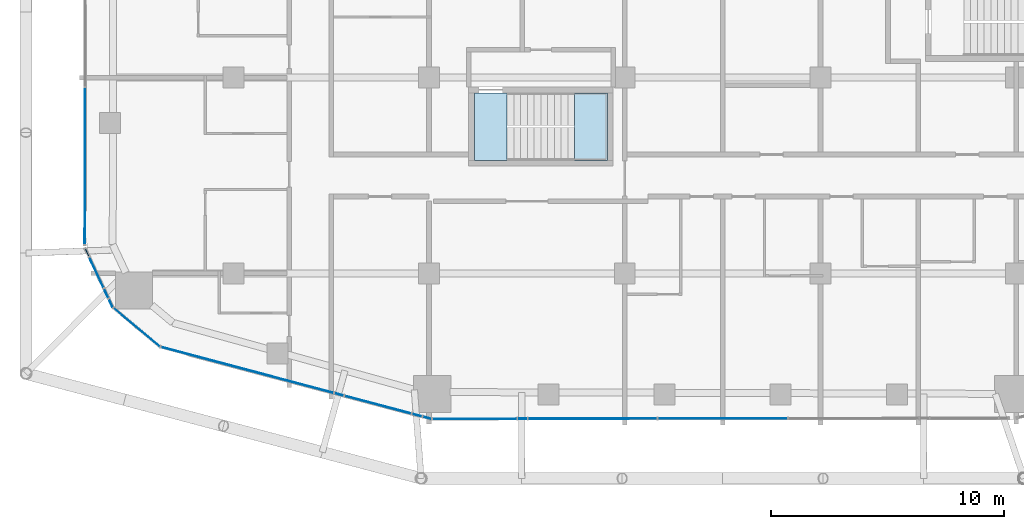
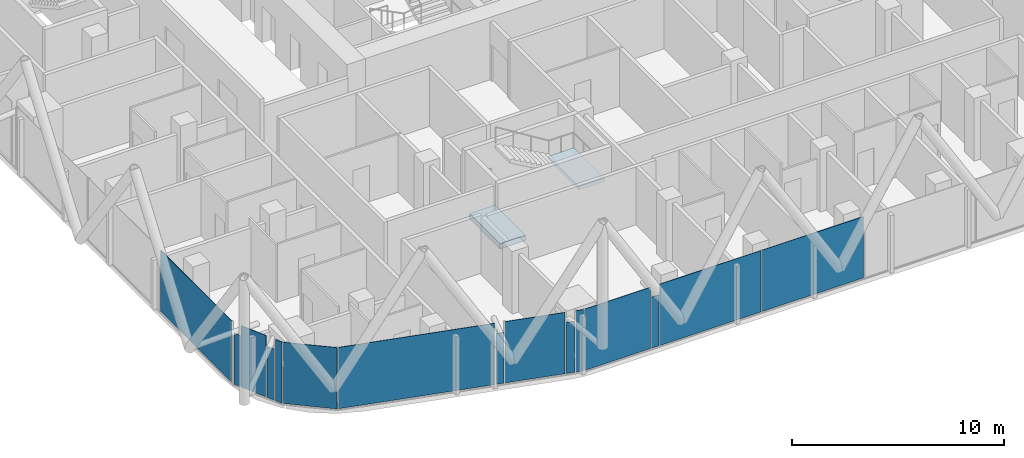
# One storey, part 19 of 36: 15 plates, 2 slabs, 15 elements without a shape of their own.
"""IFC4 building model written with IfcOpenShell, lengths in metres."""

from ifc_helpers import new_model, si_unit, direction, frame, origin, origin_2d, place, context, subcontext, project, spatial, polyline, rectangle, outline, extrude, material, layer, layer_set, type_object, element, aggregate, save


model = new_model("IFC4")

# Units and contexts
model_context = context("Model", 3, precision=1e-05, world=origin(), true_north=direction((0.0, 1.0)))
body_context = subcontext(model_context, "Body", "Model", "MODEL_VIEW")
ifc_project = project(units=[si_unit("LENGTHUNIT", "METRE"), si_unit("AREAUNIT", "SQUARE_METRE"), si_unit("VOLUMEUNIT", "CUBIC_METRE"), si_unit("PLANEANGLEUNIT", "RADIAN"), si_unit("MASSUNIT", "GRAM", prefix="KILO")], contexts=[model_context])

# Site, building, storey
site_placement = place(None, origin())
site = spatial("IfcSite", under=ifc_project, at=site_placement, CompositionType="ELEMENT")
building_placement = place(site_placement, origin())
building = spatial("IfcBuilding", under=site, at=building_placement, Name="Marenta Gate Hotel Tower", CompositionType="ELEMENT")
storey_placement = place(building_placement, frame((0.0, 0.0, 144.5)))
storey = spatial("IfcBuildingStorey", under=building, at=storey_placement, Name="L33", CompositionType="ELEMENT", Elevation=144.5)

# Curtain wall, plate
ifc_material_1 = material(Name="Tinted insulated glass in bronze anodised frame", Category="glass")
ifc_layer_1 = layer(ifc_material_1, 0.1201171875)
ifc_layer_set_1 = layer_set([ifc_layer_1], Name="Tinted insulated glass in bronze anodised frame")
curtain_wall_type = type_object("IfcCurtainWallType", Name="Tower unitised curtain wall CW1", PredefinedType="NOTDEFINED", material=ifc_layer_set_1)
curtain_wall_1_placement = place(storey_placement, origin())
curtain_wall_1 = element("IfcCurtainWall", 1, at=curtain_wall_1_placement, inside=storey, type_object=curtain_wall_type, Name="CW1 run G08", PredefinedType="NOTDEFINED")
ifc_material_2 = material(Name="Tinted insulated glass", Category="glass")
ifc_layer_2 = layer(ifc_material_2, 0.028076171875)
ifc_layer_set_2 = layer_set([ifc_layer_2], Name="Tinted insulated glass")
plate_type = type_object("IfcPlateType", Name="Glass panel CW1 28 mm tinted insulated unit", PredefinedType="CURTAIN_PANEL", material=ifc_layer_set_2)
plate_1_placement = place(storey_placement, frame((-27.367431640625, -12.190185546875, 0.06005859375), z_axis=(0.0, 0.0, 1.0), x_axis=(-0.001564882094, -0.999998775571, 0.0)))
plate_1 = element("IfcPlate", 2, at=plate_1_placement, type_object=plate_type, Name="CW1 panel 3.1", PredefinedType="CURTAIN_PANEL", context=body_context, shape_type="SweptSolid", body=[
    extrude(rectangle(XDim=6.726318359375, YDim=0.028076171875, at=origin_2d()), origin(), (0.0, 0.0, 1.0), 3.5400390625),
])
aggregate(curtain_wall_1, [plate_1])

curtain_wall_2_placement = place(storey_placement, origin())
curtain_wall_2 = element("IfcCurtainWall", 3, at=curtain_wall_2_placement, inside=storey, type_object=curtain_wall_type, Name="CW1 run G09", PredefinedType="NOTDEFINED")
plate_2_placement = place(storey_placement, frame((-27.274658203125, -15.904296875, 0.06005859375), z_axis=(0.0, 0.0, 1.0), x_axis=(0.423345141478, -0.905968482447, 0.0)))
plate_2 = element("IfcPlate", 4, at=plate_2_placement, type_object=plate_type, Name="CW1 panel 1.1", PredefinedType="CURTAIN_PANEL", context=body_context, shape_type="SweptSolid", body=[
    extrude(rectangle(XDim=0.344970703125, YDim=0.028076171875, at=origin_2d()), origin(), (0.0, 0.0, 1.0), 2.9404296875),
])
aggregate(curtain_wall_2, [plate_2])

curtain_wall_3_placement = place(storey_placement, origin())
curtain_wall_3 = element("IfcCurtainWall", 5, at=curtain_wall_3_placement, inside=storey, type_object=curtain_wall_type, Name="CW1 run G10", PredefinedType="NOTDEFINED")
plate_3_placement = place(storey_placement, frame((-26.872802734375, -16.76416015625, 0.06005859375), z_axis=(0.0, 0.0, 1.0), x_axis=(0.423347389488, -0.905967431983, 0.0)))
plate_3 = element("IfcPlate", 6, at=plate_3_placement, type_object=plate_type, Name="CW1 panel 1.1", PredefinedType="CURTAIN_PANEL", context=body_context, shape_type="SweptSolid", body=[
    extrude(rectangle(XDim=1.43310546875, YDim=0.028076171875, at=origin_2d()), origin(), (0.0, 0.0, 1.0), 3.5400390625),
])
aggregate(curtain_wall_3, [plate_3])

curtain_wall_4_placement = place(storey_placement, origin())
curtain_wall_4 = element("IfcCurtainWall", 7, at=curtain_wall_4_placement, inside=storey, type_object=curtain_wall_type, Name="CW1 run G11", PredefinedType="NOTDEFINED")
plate_4_placement = place(storey_placement, frame((-26.45458984375, -17.6591796875, 0.06005859375), z_axis=(0.0, 0.0, 1.0), x_axis=(0.423361641148, -0.905960772222, 0.0)))
plate_4 = element("IfcPlate", 8, at=plate_4_placement, type_object=plate_type, Name="CW1 panel 1.1", PredefinedType="CURTAIN_PANEL", context=body_context, shape_type="SweptSolid", body=[
    extrude(rectangle(XDim=0.4228515625, YDim=0.028076171875, at=origin_2d()), origin(), (0.0, 0.0, 1.0), 2.9404296875),
])
aggregate(curtain_wall_4, [plate_4])

curtain_wall_5_placement = place(storey_placement, origin())
curtain_wall_5 = element("IfcCurtainWall", 9, at=curtain_wall_5_placement, inside=storey, type_object=curtain_wall_type, Name="CW1 run G12", PredefinedType="NOTDEFINED")
plate_5_placement = place(storey_placement, frame((-26.25732421875, -18.081298828125, 0.06005859375), z_axis=(0.0, 0.0, 1.0), x_axis=(0.42327548639, -0.906001027936, 0.0)))
plate_5 = element("IfcPlate", 10, at=plate_5_placement, type_object=plate_type, Name="CW1 panel 1.1", PredefinedType="CURTAIN_PANEL", context=body_context, shape_type="SweptSolid", body=[
    extrude(rectangle(XDim=0.38916015625, YDim=0.028076171875, at=origin_2d()), origin(), (0.0, 0.0, 1.0), 3.5400390625),
])
aggregate(curtain_wall_5, [plate_5])

curtain_wall_6_placement = place(storey_placement, origin())
curtain_wall_6 = element("IfcCurtainWall", 11, at=curtain_wall_6_placement, inside=storey, type_object=curtain_wall_type, Name="CW1 run G13", PredefinedType="NOTDEFINED")
plate_6_placement = place(storey_placement, frame((-25.14111328125, -19.1220703125, 0.06005859375), z_axis=(0.0, 0.0, 1.0), x_axis=(0.767112858807, -0.641512168126, 0.0)))
plate_6 = element("IfcPlate", 12, at=plate_6_placement, type_object=plate_type, Name="CW1 panel 1.1", PredefinedType="CURTAIN_PANEL", context=body_context, shape_type="SweptSolid", body=[
    extrude(rectangle(XDim=2.5751953125, YDim=0.028076171875, at=origin_2d()), origin(), (0.0, 0.0, 1.0), 3.5400390625),
])
aggregate(curtain_wall_6, [plate_6])

curtain_wall_7_placement = place(storey_placement, origin())
curtain_wall_7 = element("IfcCurtainWall", 13, at=curtain_wall_7_placement, inside=storey, type_object=curtain_wall_type, Name="CW1 run G14", PredefinedType="NOTDEFINED")
plate_7_placement = place(storey_placement, frame((-20.40185546875, -20.946533203125, 0.06005859375), z_axis=(0.0, 0.0, 1.0), x_axis=(0.96637246488, -0.257146376841, 0.0)))
plate_7 = element("IfcPlate", 14, at=plate_7_placement, type_object=plate_type, Name="CW1 panel 1.1", PredefinedType="CURTAIN_PANEL", context=body_context, shape_type="SweptSolid", body=[
    extrude(rectangle(XDim=7.644287109375, YDim=0.028076171875, at=origin_2d()), origin(), (0.0, 0.0, 1.0), 3.5400390625),
])
aggregate(curtain_wall_7, [plate_7])

curtain_wall_8_placement = place(storey_placement, origin())
curtain_wall_8 = element("IfcCurtainWall", 15, at=curtain_wall_8_placement, inside=storey, type_object=curtain_wall_type, Name="CW1 run G15", PredefinedType="NOTDEFINED")
plate_8_placement = place(storey_placement, frame((-16.46044921875, -21.995361328125, 0.06005859375), z_axis=(0.0, 0.0, 1.0), x_axis=(0.966370359942, -0.257154287199, 0.0)))
plate_8 = element("IfcPlate", 16, at=plate_8_placement, type_object=plate_type, Name="CW1 panel 1.1", PredefinedType="CURTAIN_PANEL", context=body_context, shape_type="SweptSolid", body=[
    extrude(rectangle(XDim=0.39306640625, YDim=0.028076171875, at=origin_2d()), origin(), (0.0, 0.0, 1.0), 2.9404296875),
])
aggregate(curtain_wall_8, [plate_8])

curtain_wall_9_placement = place(storey_placement, origin())
curtain_wall_9 = element("IfcCurtainWall", 17, at=curtain_wall_9_placement, inside=storey, type_object=curtain_wall_type, Name="CW1 run G16", PredefinedType="NOTDEFINED")
plate_9_placement = place(storey_placement, frame((-14.794921875, -22.4384765625, 0.06005859375), z_axis=(0.0, 0.0, 1.0), x_axis=(0.966375613628, -0.257134543351, 0.0)))
plate_9 = element("IfcPlate", 18, at=plate_9_placement, type_object=plate_type, Name="CW1 panel 1.1", PredefinedType="CURTAIN_PANEL", context=body_context, shape_type="SweptSolid", body=[
    extrude(rectangle(XDim=2.933837890625, YDim=0.028076171875, at=origin_2d()), origin(), (0.0, 0.0, 1.0), 3.5400390625),
])
aggregate(curtain_wall_9, [plate_9])

curtain_wall_10_placement = place(storey_placement, origin())
curtain_wall_10 = element("IfcCurtainWall", 19, at=curtain_wall_10_placement, inside=storey, type_object=curtain_wall_type, Name="CW1 run G17", PredefinedType="NOTDEFINED")
plate_10_placement = place(storey_placement, frame((-13.11669921875, -22.885009765625, 0.06005859375), z_axis=(0.0, 0.0, 1.0), x_axis=(0.966404263523, -0.257026845764, 0.0)))
plate_10 = element("IfcPlate", 20, at=plate_10_placement, type_object=plate_type, Name="CW1 panel 1.1", PredefinedType="CURTAIN_PANEL", context=body_context, shape_type="SweptSolid", body=[
    extrude(rectangle(XDim=0.419677734375, YDim=0.028076171875, at=origin_2d()), origin(), (0.0, 0.0, 1.0), 2.9404296875),
])
aggregate(curtain_wall_10, [plate_10])

curtain_wall_11_placement = place(storey_placement, origin())
curtain_wall_11 = element("IfcCurtainWall", 21, at=curtain_wall_11_placement, inside=storey, type_object=curtain_wall_type, Name="CW1 run G18", PredefinedType="NOTDEFINED")
plate_11_placement = place(storey_placement, frame((-12.680908203125, -23.0009765625, 0.06005859375), z_axis=(0.0, 0.0, 1.0), x_axis=(0.966337096576, -0.257279256414, 0.0)))
plate_11 = element("IfcPlate", 22, at=plate_11_placement, type_object=plate_type, Name="CW1 panel 1.1", PredefinedType="CURTAIN_PANEL", context=body_context, shape_type="SweptSolid", body=[
    extrude(rectangle(XDim=0.362060546875, YDim=0.028076171875, at=origin_2d()), origin(), (0.0, 0.0, 1.0), 3.5400390625),
])
aggregate(curtain_wall_11, [plate_11])

curtain_wall_12_placement = place(storey_placement, origin())
curtain_wall_12 = element("IfcCurtainWall", 23, at=curtain_wall_12_placement, inside=storey, type_object=curtain_wall_type, Name="CW1 run G19", PredefinedType="NOTDEFINED")
plate_12_placement = place(storey_placement, frame((-10.64501953125, -23.044921875, 0.06005859375), z_axis=(0.0, 0.0, 1.0), x_axis=(0.999999067674, 0.001365521987, 0.0)))
plate_12 = element("IfcPlate", 24, at=plate_12_placement, type_object=plate_type, Name="CW1 panel 1.1", PredefinedType="CURTAIN_PANEL", context=body_context, shape_type="SweptSolid", body=[
    extrude(rectangle(XDim=3.6015625, YDim=0.028076171875, at=origin_2d()), origin(), (0.0, 0.0, 1.0), 3.5400390625),
])
aggregate(curtain_wall_12, [plate_12])

curtain_wall_13_placement = place(storey_placement, origin())
curtain_wall_13 = element("IfcCurtainWall", 25, at=curtain_wall_13_placement, inside=storey, type_object=curtain_wall_type, Name="CW1 run G20", PredefinedType="NOTDEFINED")
plate_13_placement = place(storey_placement, frame((-8.587890625, -23.042236328125, 0.06005859375), z_axis=(0.0, 0.0, 1.0), x_axis=(0.999999122847, 0.001324502144, 0.0)))
plate_13 = element("IfcPlate", 26, at=plate_13_placement, type_object=plate_type, Name="CW1 panel 1.1", PredefinedType="CURTAIN_PANEL", context=body_context, shape_type="SweptSolid", body=[
    extrude(rectangle(XDim=0.39306640625, YDim=0.028076171875, at=origin_2d()), origin(), (0.0, 0.0, 1.0), 2.9404296875),
])
aggregate(curtain_wall_13, [plate_13])

# Curtain wall, plates
curtain_wall_14_placement = place(storey_placement, origin())
curtain_wall_14 = element("IfcCurtainWall", 27, at=curtain_wall_14_placement, inside=storey, type_object=curtain_wall_type, Name="CW1 run G21", PredefinedType="NOTDEFINED")
plate_14_placement = place(storey_placement, frame((-5.576416015625, -23.0380859375, 0.06005859375), z_axis=(0.0, 0.0, 1.0), x_axis=(0.999999070887, 0.001363166999, 0.0)))
plate_14 = element("IfcPlate", 28, at=plate_14_placement, type_object=plate_type, Name="CW1 panel 1.1", PredefinedType="CURTAIN_PANEL", context=body_context, shape_type="SweptSolid", body=[
    extrude(rectangle(XDim=5.509765625, YDim=0.028076171875, at=origin_2d()), origin(), (0.0, 0.0, 1.0), 3.5400390625),
])
plate_15_placement = place(storey_placement, frame((0.00830078125, -23.030517578125, 0.06005859375), z_axis=(0.0, 0.0, 1.0), x_axis=(0.999999070887, 0.001363166999, 0.0)))
plate_15 = element("IfcPlate", 29, at=plate_15_placement, type_object=plate_type, Name="CW1 panel 2.1", PredefinedType="CURTAIN_PANEL", context=body_context, shape_type="SweptSolid", body=[
    extrude(rectangle(XDim=5.539794921875, YDim=0.028076171875, at=origin_2d()), origin(), (0.0, 0.0, 1.0), 3.5400390625),
])
aggregate(curtain_wall_14, [plate_14, plate_15])

# Stair, slab
ifc_material_3 = material(Name="Concrete C40", Category="concrete")
stair_type = type_object("IfcStairType", Name="Remote exit stair 1400 wide", PredefinedType="HALF_TURN_STAIR", material=ifc_material_3)
stair_placement = place(storey_placement, origin())
stair = element("IfcStair", 30, at=stair_placement, inside=storey, type_object=stair_type, Name="Exit stair RS-Z2-1", PredefinedType="HALF_TURN_STAIR")
ifc_material_4 = material(Name="Concrete C40", Category="concrete")
ifc_layer_3 = layer(ifc_material_4, 0.199951171875)
ifc_layer_set_3 = layer_set([ifc_layer_3], Name="Concrete C40")
slab_type_1 = type_object("IfcSlabType", Name="Remote stair landing 200", PredefinedType="LANDING", material=ifc_layer_set_3)
slab_1_placement = place(storey_placement, frame((0.0, 0.0, 1.60009765625)))
slab_1 = element("IfcSlab", 31, at=slab_1_placement, type_object=slab_type_1, Name="RL-200 RS-Z2-1 landing 1", PredefinedType="LANDING", context=body_context, shape_type="SweptSolid", body=[
    extrude(outline(polyline([(-6.35009765625, -11.949951171875), (-4.949951171875, -11.949951171875), (-4.949951171875, -9.050048828125), (-6.35009765625, -9.050048828125), (-6.35009765625, -11.949951171875)])), origin(), (0.0, 0.0, 1.0), 0.199951171875),
])
aggregate(stair, [slab_1])

# Slab
ifc_material_5 = material(Name="Concrete C40", Category="concrete")
ifc_layer_4 = layer(ifc_material_5, 0.300048828125)
ifc_layer_set_4 = layer_set([ifc_layer_4], Name="Concrete C40")
slab_type_2 = type_object("IfcSlabType", Name="Stair floor landing slab 300", PredefinedType="FLOOR", material=ifc_layer_set_4)
slab_2_placement = place(storey_placement, frame((0.0, 0.0, -0.300048828125)))
element("IfcSlab", 32, at=slab_2_placement, inside=storey, type_object=slab_type_2, Name="L33-RS-Z2-1-CL", PredefinedType="FLOOR", context=body_context, shape_type="SweptSolid", body=[
    extrude(outline(polyline([(-9.25, -11.949951171875), (-9.25, -9.050048828125), (-10.64990234375, -9.050048828125), (-10.64990234375, -11.949951171875), (-9.25, -11.949951171875)])), origin(), (0.0, 0.0, 1.0), 0.300048828125),
])

save(model, "model.ifc")
